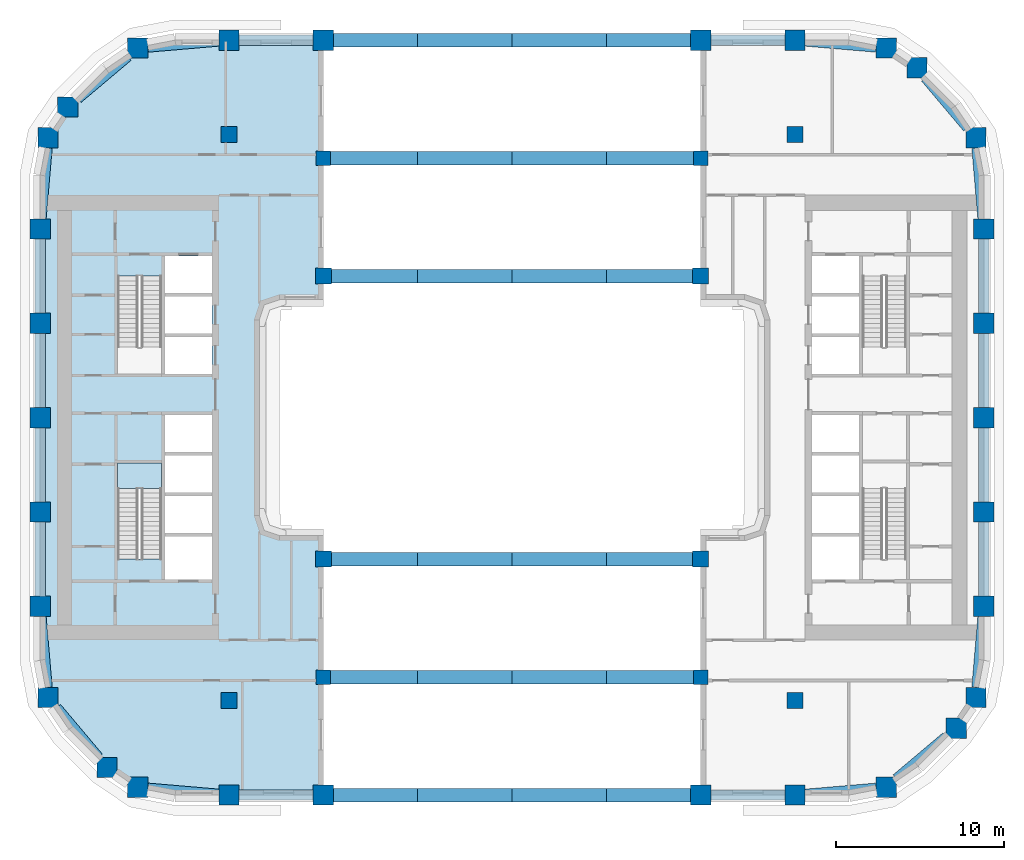
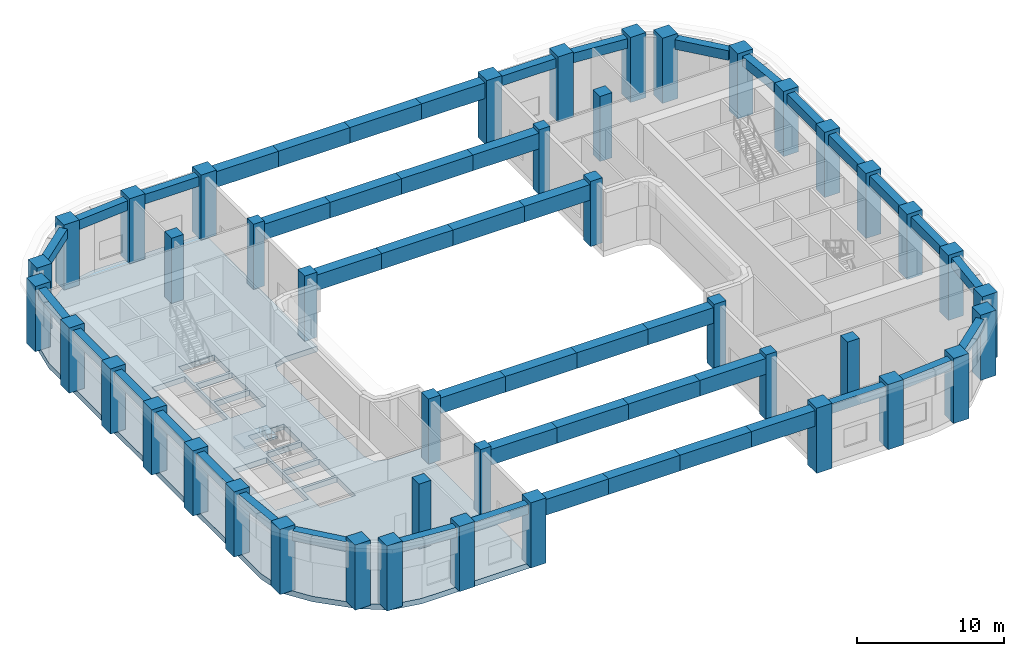
# One storey, part 1 of 14: 42 columns, 24 beams, 24 members, 2 slabs, 1 element without a shape of its own.
"""IFC4 building model written with IfcOpenShell, lengths in metres."""

from ifc_helpers import new_model, si_unit, direction, frame, origin, origin_2d, place, context, subcontext, project, spatial, polyline, rectangle, hollow_rectangle, outline, extrude, material, layer, layer_set, material_profile, profile_set, type_object, element, aggregate, save


model = new_model("IFC4")

# Units and contexts
model_context = context("Model", 3, precision=1e-05, world=origin(), true_north=direction((0.0, 1.0)))
body_context = subcontext(model_context, "Body", "Model", "MODEL_VIEW")
ifc_project = project(units=[si_unit("LENGTHUNIT", "METRE"), si_unit("AREAUNIT", "SQUARE_METRE"), si_unit("VOLUMEUNIT", "CUBIC_METRE"), si_unit("PLANEANGLEUNIT", "RADIAN"), si_unit("MASSUNIT", "GRAM", prefix="KILO")], contexts=[model_context])

# Site, building, storey
site_placement = place(None, origin())
site = spatial("IfcSite", under=ifc_project, at=site_placement, CompositionType="ELEMENT")
building_placement = place(site_placement, origin())
building = spatial("IfcBuilding", under=site, at=building_placement, Name="Kiln Ring Residences", CompositionType="ELEMENT")
storey_placement = place(building_placement, frame((0.0, 0.0, 130.699951171875)))
storey = spatial("IfcBuildingStorey", under=building, at=storey_placement, Name="L33", CompositionType="ELEMENT", Elevation=130.699951171875)

# Columns
ifc_material_1 = material(Name="Concrete C80/95", Category="concrete")
ifc_material_profile_1 = material_profile(ifc_material_1, rectangle(XDim=0.85009765625, YDim=0.85009765625, at=origin_2d()), Name="RC850x850")
ifc_profile_set_1 = profile_set([ifc_material_profile_1], Name="Concrete C80/95")
column_type_1 = type_object("IfcColumnType", Name="Corridor column RC850x850 C80/95", PredefinedType="COLUMN", material=ifc_profile_set_1)
for number, where, z_axis, x_axis, name in (
    (1, (-11.199951171875, 15.39990234375, 0.0), (0.0, 0.0, 1.0), (1.0, 0.0, 0.0), "Corridor column L33 1"),
    (2, (11.199951171875, 15.39990234375, 0.0), (0.0, 0.0, 1.0), (1.0, 0.0, 0.0), "Corridor column L33 2"),
    (3, (-11.199951171875, -15.39990234375, 0.0), (0.0, 0.0, 1.0), (1.0, 0.0, 0.0), "Corridor column L33 3"),
    (4, (11.199951171875, -15.39990234375, 0.0), (0.0, 0.0, 1.0), (1.0, 0.0, 0.0), "Corridor column L33 4"),
):
    element("IfcColumn", number, at=place(storey_placement, frame(where, z_axis=z_axis, x_axis=x_axis)), inside=storey, type_object=column_type_1, Name=name, PredefinedType="COLUMN", context=body_context, shape_type="SweptSolid", body=[
        extrude(rectangle(XDim=0.85009765625, YDim=0.85009765625, at=origin_2d()), origin(), (0.0, 0.0, 1.0), 5.400146484375),
    ])
ifc_material_2 = material(Name="Concrete C80/95", Category="concrete")
ifc_material_profile_2 = material_profile(ifc_material_2, rectangle(XDim=1.199951171875, YDim=1.199951171875, at=origin_2d()), Name="RC1200x1200")
ifc_profile_set_2 = profile_set([ifc_material_profile_2], Name="Concrete C80/95")
column_type_2 = type_object("IfcColumnType", Name="Perimeter column RC1200x1200 C80/95", PredefinedType="COLUMN", material=ifc_profile_set_2)
for number, where, z_axis, x_axis, name in (
    (5, (-22.208740234375, -21.93798828125, 0.0), (0.0, 0.0, 1.0), (1.0, 0.0, 0.0), "Perimeter column L33 1"),
    (6, (-16.800048828125, -22.39990234375, 0.0), (0.0, 0.0, 1.0), (1.0, 0.0, 0.0), "Perimeter column L33 2"),
    (7, (-11.199951171875, -22.39990234375, 0.0), (0.0, 0.0, 1.0), (1.0, 0.0, 0.0), "Perimeter column L33 3"),
    (8, (11.199951171875, -22.39990234375, 0.0), (0.0, 0.0, 1.0), (1.0, 0.0, 0.0), "Perimeter column L33 4"),
    (9, (16.800048828125, -22.39990234375, 0.0), (0.0, 0.0, 1.0), (1.0, 0.0, 0.0), "Perimeter column L33 5"),
    (10, (22.208740234375, -21.93798828125, 0.0), (0.0, 0.0, 1.0), (1.0, 0.0, 0.0), "Perimeter column L33 6"),
    (11, (26.35986328125, -18.440185546875, 0.0), (0.0, 0.0, 1.0), (1.0, 0.0, 0.0), "Perimeter column L33 7"),
    (12, (27.5380859375, -16.608642578125, 0.0), (0.0, 0.0, 1.0), (1.0, 0.0, 0.0), "Perimeter column L33 8"),
    (13, (28.0, -11.199951171875, 0.0), (0.0, 0.0, 1.0), (1.0, 0.0, 0.0), "Perimeter column L33 9"),
    (14, (28.0, -5.60009765625, 0.0), (0.0, 0.0, 1.0), (1.0, 0.0, 0.0), "Perimeter column L33 10"),
    (15, (28.0, 0.0, 0.0), (0.0, 0.0, 1.0), (1.0, 0.0, 0.0), "Perimeter column L33 11"),
    (16, (28.0, 5.60009765625, 0.0), (0.0, 0.0, 1.0), (1.0, 0.0, 0.0), "Perimeter column L33 12"),
    (17, (28.0, 11.199951171875, 0.0), (0.0, 0.0, 1.0), (1.0, 0.0, 0.0), "Perimeter column L33 13"),
    (18, (27.5380859375, 16.608642578125, 0.0), (0.0, 0.0, 1.0), (1.0, 0.0, 0.0), "Perimeter column L33 14"),
    (19, (24.040283203125, 20.759765625, 0.0), (0.0, 0.0, 1.0), (1.0, 0.0, 0.0), "Perimeter column L33 15"),
    (20, (22.208740234375, 21.93798828125, 0.0), (0.0, 0.0, 1.0), (1.0, 0.0, 0.0), "Perimeter column L33 16"),
    (21, (16.800048828125, 22.39990234375, 0.0), (0.0, 0.0, 1.0), (1.0, 0.0, 0.0), "Perimeter column L33 17"),
    (22, (11.199951171875, 22.39990234375, 0.0), (0.0, 0.0, 1.0), (1.0, 0.0, 0.0), "Perimeter column L33 18"),
    (23, (-11.199951171875, 22.39990234375, 0.0), (0.0, 0.0, 1.0), (1.0, 0.0, 0.0), "Perimeter column L33 19"),
    (24, (-16.800048828125, 22.39990234375, 0.0), (0.0, 0.0, 1.0), (1.0, 0.0, 0.0), "Perimeter column L33 20"),
    (25, (-22.208740234375, 21.93798828125, 0.0), (0.0, 0.0, 1.0), (1.0, 0.0, 0.0), "Perimeter column L33 21"),
    (26, (-26.35986328125, 18.440185546875, 0.0), (0.0, 0.0, 1.0), (1.0, 0.0, 0.0), "Perimeter column L33 22"),
    (27, (-27.5380859375, 16.608642578125, 0.0), (0.0, 0.0, 1.0), (1.0, 0.0, 0.0), "Perimeter column L33 23"),
    (28, (-28.0, 11.199951171875, 0.0), (0.0, 0.0, 1.0), (1.0, 0.0, 0.0), "Perimeter column L33 24"),
    (29, (-28.0, 5.60009765625, 0.0), (0.0, 0.0, 1.0), (1.0, 0.0, 0.0), "Perimeter column L33 25"),
    (30, (-28.0, 0.0, 0.0), (0.0, 0.0, 1.0), (1.0, 0.0, 0.0), "Perimeter column L33 26"),
    (31, (-28.0, -5.60009765625, 0.0), (0.0, 0.0, 1.0), (1.0, 0.0, 0.0), "Perimeter column L33 27"),
    (32, (-28.0, -11.199951171875, 0.0), (0.0, 0.0, 1.0), (1.0, 0.0, 0.0), "Perimeter column L33 28"),
    (33, (-27.5380859375, -16.608642578125, 0.0), (0.0, 0.0, 1.0), (1.0, 0.0, 0.0), "Perimeter column L33 29"),
    (34, (-24.040283203125, -20.759765625, 0.0), (0.0, 0.0, 1.0), (1.0, 0.0, 0.0), "Perimeter column L33 30"),
):
    element("IfcColumn", number, at=place(storey_placement, frame(where, z_axis=z_axis, x_axis=x_axis)), inside=storey, type_object=column_type_2, Name=name, PredefinedType="COLUMN", context=body_context, shape_type="SweptSolid", body=[
        extrude(rectangle(XDim=1.199951171875, YDim=1.199951171875, at=origin_2d()), origin(), (0.0, 0.0, 1.0), 5.400146484375),
    ])
ifc_material_3 = material(Name="Concrete C80/95", Category="concrete")
ifc_material_profile_3 = material_profile(ifc_material_3, rectangle(XDim=0.949951171875, YDim=0.949951171875, at=origin_2d()), Name="RC950x950")
ifc_profile_set_3 = profile_set([ifc_material_profile_3], Name="Concrete C80/95")
column_type_3 = type_object("IfcColumnType", Name="Ring column RC950x950 C80/95", PredefinedType="COLUMN", material=ifc_profile_set_3)
for number, where, z_axis, x_axis, name in (
    (35, (-16.800048828125, -16.800048828125, 0.0), (0.0, 0.0, 1.0), (1.0, 0.0, 0.0), "Ring column L33 1"),
    (36, (-16.800048828125, 16.800048828125, 0.0), (0.0, 0.0, 1.0), (1.0, 0.0, 0.0), "Ring column L33 2"),
    (37, (16.800048828125, -16.800048828125, 0.0), (0.0, 0.0, 1.0), (1.0, 0.0, 0.0), "Ring column L33 3"),
    (38, (16.800048828125, 16.800048828125, 0.0), (0.0, 0.0, 1.0), (1.0, 0.0, 0.0), "Ring column L33 4"),
    (39, (-11.199951171875, -8.39990234375, 0.0), (0.0, 0.0, 1.0), (1.0, 0.0, 0.0), "Ring column L33 5"),
    (40, (-11.199951171875, 8.39990234375, 0.0), (0.0, 0.0, 1.0), (1.0, 0.0, 0.0), "Ring column L33 6"),
    (41, (11.199951171875, -8.39990234375, 0.0), (0.0, 0.0, 1.0), (1.0, 0.0, 0.0), "Ring column L33 7"),
    (42, (11.199951171875, 8.39990234375, 0.0), (0.0, 0.0, 1.0), (1.0, 0.0, 0.0), "Ring column L33 8"),
):
    element("IfcColumn", number, at=place(storey_placement, frame(where, z_axis=z_axis, x_axis=x_axis)), inside=storey, type_object=column_type_3, Name=name, PredefinedType="COLUMN", context=body_context, shape_type="SweptSolid", body=[
        extrude(rectangle(XDim=0.949951171875, YDim=0.949951171875, at=origin_2d()), origin(), (0.0, 0.0, 1.0), 5.400146484375),
    ])

# Members
ifc_material_4 = material(Name="Steel S460", Category="steel")
ifc_material_profile_4 = material_profile(ifc_material_4, hollow_rectangle(XDim=0.800048828125, YDim=1.300048828125, WallThickness=0.070068359375, at=origin_2d()), Name="BOX1300x800x70")
ifc_profile_set_4 = profile_set([ifc_material_profile_4], Name="Steel S460")
member_type = type_object("IfcMemberType", Name="Bridge truss chord BOX1300x800x70 S460", PredefinedType="CHORD", material=ifc_profile_set_4)
member_1_placement = place(storey_placement, frame((-10.60009765625, -22.39990234375, 4.449951171875), z_axis=(1.0, 0.0, 0.0), x_axis=(0.0, 1.0, 0.0)))
element("IfcMember", 43, at=member_1_placement, inside=storey, type_object=member_type, Name="Bridge truss chord L33 1", PredefinedType="CHORD", context=body_context, shape_type="SweptSolid", body=[
    extrude(hollow_rectangle(XDim=0.800048828125, YDim=1.300048828125, WallThickness=0.070068359375, at=origin_2d()), origin(), (0.0, 0.0, 1.0), 5.0),
])
for number, where, z_axis, x_axis, name in (
    (44, (-5.60009765625, -22.39990234375, 4.449951171875), (1.0, 0.0, 0.0), (0.0, 1.0, 0.0), "Bridge truss chord L33 2"),
    (45, (0.0, -22.39990234375, 4.449951171875), (1.0, 0.0, 0.0), (0.0, 1.0, 0.0), "Bridge truss chord L33 3"),
):
    element("IfcMember", number, at=place(storey_placement, frame(where, z_axis=z_axis, x_axis=x_axis)), inside=storey, type_object=member_type, Name=name, PredefinedType="CHORD", context=body_context, shape_type="SweptSolid", body=[
        extrude(hollow_rectangle(XDim=0.800048828125, YDim=1.300048828125, WallThickness=0.070068359375, at=origin_2d()), origin(), (0.0, 0.0, 1.0), 5.60009765625),
    ])
member_2_placement = place(storey_placement, frame((5.60009765625, -22.39990234375, 4.449951171875), z_axis=(1.0, 0.0, 0.0), x_axis=(0.0, 1.0, 0.0)))
element("IfcMember", 46, at=member_2_placement, inside=storey, type_object=member_type, Name="Bridge truss chord L33 4", PredefinedType="CHORD", context=body_context, shape_type="SweptSolid", body=[
    extrude(hollow_rectangle(XDim=0.800048828125, YDim=1.300048828125, WallThickness=0.070068359375, at=origin_2d()), origin(), (0.0, 0.0, 1.0), 5.0),
])
member_3_placement = place(storey_placement, frame((-10.77490234375, -15.39990234375, 4.449951171875), z_axis=(1.0, 0.0, 0.0), x_axis=(0.0, 1.0, 0.0)))
element("IfcMember", 47, at=member_3_placement, inside=storey, type_object=member_type, Name="Bridge truss chord L33 5", PredefinedType="CHORD", context=body_context, shape_type="SweptSolid", body=[
    extrude(hollow_rectangle(XDim=0.800048828125, YDim=1.300048828125, WallThickness=0.070068359375, at=origin_2d()), origin(), (0.0, 0.0, 1.0), 5.1748046875),
])
for number, where, z_axis, x_axis, name in (
    (48, (-5.60009765625, -15.39990234375, 4.449951171875), (1.0, 0.0, 0.0), (0.0, 1.0, 0.0), "Bridge truss chord L33 6"),
    (49, (0.0, -15.39990234375, 4.449951171875), (1.0, 0.0, 0.0), (0.0, 1.0, 0.0), "Bridge truss chord L33 7"),
):
    element("IfcMember", number, at=place(storey_placement, frame(where, z_axis=z_axis, x_axis=x_axis)), inside=storey, type_object=member_type, Name=name, PredefinedType="CHORD", context=body_context, shape_type="SweptSolid", body=[
        extrude(hollow_rectangle(XDim=0.800048828125, YDim=1.300048828125, WallThickness=0.070068359375, at=origin_2d()), origin(), (0.0, 0.0, 1.0), 5.60009765625),
    ])
member_4_placement = place(storey_placement, frame((5.60009765625, -15.39990234375, 4.449951171875), z_axis=(1.0, 0.0, 0.0), x_axis=(0.0, 1.0, 0.0)))
element("IfcMember", 50, at=member_4_placement, inside=storey, type_object=member_type, Name="Bridge truss chord L33 8", PredefinedType="CHORD", context=body_context, shape_type="SweptSolid", body=[
    extrude(hollow_rectangle(XDim=0.800048828125, YDim=1.300048828125, WallThickness=0.070068359375, at=origin_2d()), origin(), (0.0, 0.0, 1.0), 5.1748046875),
])
member_5_placement = place(storey_placement, frame((-10.72509765625, -8.39990234375, 4.449951171875), z_axis=(1.0, 0.0, 0.0), x_axis=(0.0, 1.0, 0.0)))
element("IfcMember", 51, at=member_5_placement, inside=storey, type_object=member_type, Name="Bridge truss chord L33 9", PredefinedType="CHORD", context=body_context, shape_type="SweptSolid", body=[
    extrude(hollow_rectangle(XDim=0.800048828125, YDim=1.300048828125, WallThickness=0.070068359375, at=origin_2d()), origin(), (0.0, 0.0, 1.0), 5.125),
])
for number, where, z_axis, x_axis, name in (
    (52, (-5.60009765625, -8.39990234375, 4.449951171875), (1.0, 0.0, 0.0), (0.0, 1.0, 0.0), "Bridge truss chord L33 10"),
    (53, (0.0, -8.39990234375, 4.449951171875), (1.0, 0.0, 0.0), (0.0, 1.0, 0.0), "Bridge truss chord L33 11"),
):
    element("IfcMember", number, at=place(storey_placement, frame(where, z_axis=z_axis, x_axis=x_axis)), inside=storey, type_object=member_type, Name=name, PredefinedType="CHORD", context=body_context, shape_type="SweptSolid", body=[
        extrude(hollow_rectangle(XDim=0.800048828125, YDim=1.300048828125, WallThickness=0.070068359375, at=origin_2d()), origin(), (0.0, 0.0, 1.0), 5.60009765625),
    ])
member_6_placement = place(storey_placement, frame((5.60009765625, -8.39990234375, 4.449951171875), z_axis=(1.0, 0.0, 0.0), x_axis=(0.0, 1.0, 0.0)))
element("IfcMember", 54, at=member_6_placement, inside=storey, type_object=member_type, Name="Bridge truss chord L33 12", PredefinedType="CHORD", context=body_context, shape_type="SweptSolid", body=[
    extrude(hollow_rectangle(XDim=0.800048828125, YDim=1.300048828125, WallThickness=0.070068359375, at=origin_2d()), origin(), (0.0, 0.0, 1.0), 5.125),
])
member_7_placement = place(storey_placement, frame((-10.60009765625, 22.39990234375, 4.449951171875), z_axis=(1.0, 0.0, 0.0), x_axis=(0.0, 1.0, 0.0)))
element("IfcMember", 55, at=member_7_placement, inside=storey, type_object=member_type, Name="Bridge truss chord L33 13", PredefinedType="CHORD", context=body_context, shape_type="SweptSolid", body=[
    extrude(hollow_rectangle(XDim=0.800048828125, YDim=1.300048828125, WallThickness=0.070068359375, at=origin_2d()), origin(), (0.0, 0.0, 1.0), 5.0),
])
for number, where, z_axis, x_axis, name in (
    (56, (-5.60009765625, 22.39990234375, 4.449951171875), (1.0, 0.0, 0.0), (0.0, 1.0, 0.0), "Bridge truss chord L33 14"),
    (57, (0.0, 22.39990234375, 4.449951171875), (1.0, 0.0, 0.0), (0.0, 1.0, 0.0), "Bridge truss chord L33 15"),
):
    element("IfcMember", number, at=place(storey_placement, frame(where, z_axis=z_axis, x_axis=x_axis)), inside=storey, type_object=member_type, Name=name, PredefinedType="CHORD", context=body_context, shape_type="SweptSolid", body=[
        extrude(hollow_rectangle(XDim=0.800048828125, YDim=1.300048828125, WallThickness=0.070068359375, at=origin_2d()), origin(), (0.0, 0.0, 1.0), 5.60009765625),
    ])
member_8_placement = place(storey_placement, frame((5.60009765625, 22.39990234375, 4.449951171875), z_axis=(1.0, 0.0, 0.0), x_axis=(0.0, 1.0, 0.0)))
element("IfcMember", 58, at=member_8_placement, inside=storey, type_object=member_type, Name="Bridge truss chord L33 16", PredefinedType="CHORD", context=body_context, shape_type="SweptSolid", body=[
    extrude(hollow_rectangle(XDim=0.800048828125, YDim=1.300048828125, WallThickness=0.070068359375, at=origin_2d()), origin(), (0.0, 0.0, 1.0), 5.0),
])
member_9_placement = place(storey_placement, frame((-10.77490234375, 15.39990234375, 4.449951171875), z_axis=(1.0, 0.0, 0.0), x_axis=(0.0, 1.0, 0.0)))
element("IfcMember", 59, at=member_9_placement, inside=storey, type_object=member_type, Name="Bridge truss chord L33 17", PredefinedType="CHORD", context=body_context, shape_type="SweptSolid", body=[
    extrude(hollow_rectangle(XDim=0.800048828125, YDim=1.300048828125, WallThickness=0.070068359375, at=origin_2d()), origin(), (0.0, 0.0, 1.0), 5.1748046875),
])
for number, where, z_axis, x_axis, name in (
    (60, (-5.60009765625, 15.39990234375, 4.449951171875), (1.0, 0.0, 0.0), (0.0, 1.0, 0.0), "Bridge truss chord L33 18"),
    (61, (0.0, 15.39990234375, 4.449951171875), (1.0, 0.0, 0.0), (0.0, 1.0, 0.0), "Bridge truss chord L33 19"),
):
    element("IfcMember", number, at=place(storey_placement, frame(where, z_axis=z_axis, x_axis=x_axis)), inside=storey, type_object=member_type, Name=name, PredefinedType="CHORD", context=body_context, shape_type="SweptSolid", body=[
        extrude(hollow_rectangle(XDim=0.800048828125, YDim=1.300048828125, WallThickness=0.070068359375, at=origin_2d()), origin(), (0.0, 0.0, 1.0), 5.60009765625),
    ])
member_10_placement = place(storey_placement, frame((5.60009765625, 15.39990234375, 4.449951171875), z_axis=(1.0, 0.0, 0.0), x_axis=(0.0, 1.0, 0.0)))
element("IfcMember", 62, at=member_10_placement, inside=storey, type_object=member_type, Name="Bridge truss chord L33 20", PredefinedType="CHORD", context=body_context, shape_type="SweptSolid", body=[
    extrude(hollow_rectangle(XDim=0.800048828125, YDim=1.300048828125, WallThickness=0.070068359375, at=origin_2d()), origin(), (0.0, 0.0, 1.0), 5.1748046875),
])
member_11_placement = place(storey_placement, frame((-10.72509765625, 8.39990234375, 4.449951171875), z_axis=(1.0, 0.0, 0.0), x_axis=(0.0, 1.0, 0.0)))
element("IfcMember", 63, at=member_11_placement, inside=storey, type_object=member_type, Name="Bridge truss chord L33 21", PredefinedType="CHORD", context=body_context, shape_type="SweptSolid", body=[
    extrude(hollow_rectangle(XDim=0.800048828125, YDim=1.300048828125, WallThickness=0.070068359375, at=origin_2d()), origin(), (0.0, 0.0, 1.0), 5.125),
])
for number, where, z_axis, x_axis, name in (
    (64, (-5.60009765625, 8.39990234375, 4.449951171875), (1.0, 0.0, 0.0), (0.0, 1.0, 0.0), "Bridge truss chord L33 22"),
    (65, (0.0, 8.39990234375, 4.449951171875), (1.0, 0.0, 0.0), (0.0, 1.0, 0.0), "Bridge truss chord L33 23"),
):
    element("IfcMember", number, at=place(storey_placement, frame(where, z_axis=z_axis, x_axis=x_axis)), inside=storey, type_object=member_type, Name=name, PredefinedType="CHORD", context=body_context, shape_type="SweptSolid", body=[
        extrude(hollow_rectangle(XDim=0.800048828125, YDim=1.300048828125, WallThickness=0.070068359375, at=origin_2d()), origin(), (0.0, 0.0, 1.0), 5.60009765625),
    ])
member_12_placement = place(storey_placement, frame((5.60009765625, 8.39990234375, 4.449951171875), z_axis=(1.0, 0.0, 0.0), x_axis=(0.0, 1.0, 0.0)))
element("IfcMember", 66, at=member_12_placement, inside=storey, type_object=member_type, Name="Bridge truss chord L33 24", PredefinedType="CHORD", context=body_context, shape_type="SweptSolid", body=[
    extrude(hollow_rectangle(XDim=0.800048828125, YDim=1.300048828125, WallThickness=0.070068359375, at=origin_2d()), origin(), (0.0, 0.0, 1.0), 5.125),
])

# Beams
ifc_material_5 = material(Name="Concrete C50/60", Category="concrete")
ifc_material_profile_5 = material_profile(ifc_material_5, rectangle(XDim=0.60009765625, YDim=0.800048828125, at=origin_2d()), Name="RC600x800")
ifc_profile_set_5 = profile_set([ifc_material_profile_5], Name="Concrete C50/60")
beam_type = type_object("IfcBeamType", Name="Spandrel beam RC600x800 C50/60", PredefinedType="SPANDREL", material=ifc_profile_set_5)
beam_1_placement = place(storey_placement, frame((-21.608642578125, -21.9892578125, 4.699951171875), z_axis=(0.996369376645, -0.085135570033, 0.0), x_axis=(0.085135570033, 0.996369376645, 0.0)))
element("IfcBeam", 67, at=beam_1_placement, inside=storey, type_object=beam_type, Name="Spandrel beam L33 1", PredefinedType="SPANDREL", context=body_context, shape_type="SweptSolid", body=[
    extrude(rectangle(XDim=0.60009765625, YDim=0.800048828125, at=origin_2d()), origin(), (0.0, 0.0, 1.0), 4.22412109375),
])
for number, where, z_axis, x_axis, name in (
    (68, (-16.199951171875, -22.39990234375, 4.699951171875), (1.0, 0.0, 0.0), (0.0, 1.0, 0.0), "Spandrel beam L33 2"),
    (69, (11.800048828125, -22.39990234375, 4.699951171875), (1.0, 0.0, 0.0), (0.0, 1.0, 0.0), "Spandrel beam L33 3"),
):
    element("IfcBeam", number, at=place(storey_placement, frame(where, z_axis=z_axis, x_axis=x_axis)), inside=storey, type_object=beam_type, Name=name, PredefinedType="SPANDREL", context=body_context, shape_type="SweptSolid", body=[
        extrude(rectangle(XDim=0.60009765625, YDim=0.800048828125, at=origin_2d()), origin(), (0.0, 0.0, 1.0), 4.39990234375),
    ])
beam_2_placement = place(storey_placement, frame((17.39990234375, -22.348876953125, 4.699951171875), z_axis=(0.996369376645, 0.085135570033, 0.0), x_axis=(-0.085135570033, 0.996369376645, 0.0)))
element("IfcBeam", 70, at=beam_2_placement, inside=storey, type_object=beam_type, Name="Spandrel beam L33 4", PredefinedType="SPANDREL", context=body_context, shape_type="SweptSolid", body=[
    extrude(rectangle(XDim=0.60009765625, YDim=0.800048828125, at=origin_2d()), origin(), (0.0, 0.0, 1.0), 4.22412109375),
])
beam_3_placement = place(storey_placement, frame((22.80859375, -21.4326171875, 4.699951171875), z_axis=(0.764704456802, 0.644381171161, 0.0), x_axis=(-0.644381171161, 0.764704456802, 0.0)))
element("IfcBeam", 71, at=beam_3_placement, inside=storey, type_object=beam_type, Name="Spandrel beam L33 5", PredefinedType="SPANDREL", context=body_context, shape_type="SweptSolid", body=[
    extrude(rectangle(XDim=0.60009765625, YDim=0.800048828125, at=origin_2d()), origin(), (0.0, 0.0, 1.0), 3.859130859375),
])
beam_4_placement = place(storey_placement, frame((27.58935546875, -16.0087890625, 4.699951171875), z_axis=(0.085078191129, 0.996374277766, 0.0), x_axis=(-0.996374277766, 0.085078191129, 0.0)))
element("IfcBeam", 72, at=beam_4_placement, inside=storey, type_object=beam_type, Name="Spandrel beam L33 6", PredefinedType="SPANDREL", context=body_context, shape_type="SweptSolid", body=[
    extrude(rectangle(XDim=0.60009765625, YDim=0.800048828125, at=origin_2d()), origin(), (0.0, 0.0, 1.0), 4.22412109375),
])
beam_5_placement = place(storey_placement, frame((28.0, -10.60009765625, 4.699951171875), z_axis=(0.0, 1.0, 0.0), x_axis=(-1.0, 0.0, 0.0)))
element("IfcBeam", 73, at=beam_5_placement, inside=storey, type_object=beam_type, Name="Spandrel beam L33 7", PredefinedType="SPANDREL", context=body_context, shape_type="SweptSolid", body=[
    extrude(rectangle(XDim=0.60009765625, YDim=0.800048828125, at=origin_2d()), origin(), (0.0, 0.0, 1.0), 4.400146484375),
])
for number, where, z_axis, x_axis, name in (
    (74, (28.0, -5.0, 4.699951171875), (0.0, 1.0, 0.0), (-1.0, 0.0, 0.0), "Spandrel beam L33 8"),
    (75, (28.0, 0.60009765625, 4.699951171875), (0.0, 1.0, 0.0), (-1.0, 0.0, 0.0), "Spandrel beam L33 9"),
):
    element("IfcBeam", number, at=place(storey_placement, frame(where, z_axis=z_axis, x_axis=x_axis)), inside=storey, type_object=beam_type, Name=name, PredefinedType="SPANDREL", context=body_context, shape_type="SweptSolid", body=[
        extrude(rectangle(XDim=0.60009765625, YDim=0.800048828125, at=origin_2d()), origin(), (0.0, 0.0, 1.0), 4.39990234375),
    ])
beam_6_placement = place(storey_placement, frame((28.0, 6.199951171875, 4.699951171875), z_axis=(0.0, 1.0, 0.0), x_axis=(-1.0, 0.0, 0.0)))
element("IfcBeam", 76, at=beam_6_placement, inside=storey, type_object=beam_type, Name="Spandrel beam L33 10", PredefinedType="SPANDREL", context=body_context, shape_type="SweptSolid", body=[
    extrude(rectangle(XDim=0.60009765625, YDim=0.800048828125, at=origin_2d()), origin(), (0.0, 0.0, 1.0), 4.400146484375),
])
beam_7_placement = place(storey_placement, frame((27.94873046875, 11.800048828125, 4.699951171875), z_axis=(-0.085078191129, 0.996374277766, 0.0), x_axis=(-0.996374277766, -0.085078191129, 0.0)))
element("IfcBeam", 77, at=beam_7_placement, inside=storey, type_object=beam_type, Name="Spandrel beam L33 11", PredefinedType="SPANDREL", context=body_context, shape_type="SweptSolid", body=[
    extrude(rectangle(XDim=0.60009765625, YDim=0.800048828125, at=origin_2d()), origin(), (0.0, 0.0, 1.0), 4.22412109375),
])
beam_8_placement = place(storey_placement, frame((27.032470703125, 17.208740234375, 4.699951171875), z_axis=(-0.644344175314, 0.764735629965, 0.0), x_axis=(-0.764735629965, -0.644344175314, 0.0)))
element("IfcBeam", 78, at=beam_8_placement, inside=storey, type_object=beam_type, Name="Spandrel beam L33 12", PredefinedType="SPANDREL", context=body_context, shape_type="SweptSolid", body=[
    extrude(rectangle(XDim=0.60009765625, YDim=0.800048828125, at=origin_2d()), origin(), (0.0, 0.0, 1.0), 3.859130859375),
])
beam_9_placement = place(storey_placement, frame((21.608642578125, 21.9892578125, 4.699951171875), z_axis=(-0.996369376645, 0.085135570033, 0.0), x_axis=(-0.085135570033, -0.996369376645, 0.0)))
element("IfcBeam", 79, at=beam_9_placement, inside=storey, type_object=beam_type, Name="Spandrel beam L33 13", PredefinedType="SPANDREL", context=body_context, shape_type="SweptSolid", body=[
    extrude(rectangle(XDim=0.60009765625, YDim=0.800048828125, at=origin_2d()), origin(), (0.0, 0.0, 1.0), 4.22412109375),
])
for number, where, z_axis, x_axis, name in (
    (80, (16.199951171875, 22.39990234375, 4.699951171875), (-1.0, 0.0, 0.0), (0.0, -1.0, 0.0), "Spandrel beam L33 14"),
    (81, (-11.800048828125, 22.39990234375, 4.699951171875), (-1.0, 0.0, 0.0), (0.0, -1.0, 0.0), "Spandrel beam L33 15"),
):
    element("IfcBeam", number, at=place(storey_placement, frame(where, z_axis=z_axis, x_axis=x_axis)), inside=storey, type_object=beam_type, Name=name, PredefinedType="SPANDREL", context=body_context, shape_type="SweptSolid", body=[
        extrude(rectangle(XDim=0.60009765625, YDim=0.800048828125, at=origin_2d()), origin(), (0.0, 0.0, 1.0), 4.39990234375),
    ])
beam_10_placement = place(storey_placement, frame((-17.39990234375, 22.348876953125, 4.699951171875), z_axis=(-0.996369376645, -0.085135570033, 0.0), x_axis=(0.085135570033, -0.996369376645, 0.0)))
element("IfcBeam", 82, at=beam_10_placement, inside=storey, type_object=beam_type, Name="Spandrel beam L33 16", PredefinedType="SPANDREL", context=body_context, shape_type="SweptSolid", body=[
    extrude(rectangle(XDim=0.60009765625, YDim=0.800048828125, at=origin_2d()), origin(), (0.0, 0.0, 1.0), 4.22412109375),
])
beam_11_placement = place(storey_placement, frame((-22.80859375, 21.4326171875, 4.699951171875), z_axis=(-0.764704456802, -0.644381171161, 0.0), x_axis=(0.644381171161, -0.764704456802, 0.0)))
element("IfcBeam", 83, at=beam_11_placement, inside=storey, type_object=beam_type, Name="Spandrel beam L33 17", PredefinedType="SPANDREL", context=body_context, shape_type="SweptSolid", body=[
    extrude(rectangle(XDim=0.60009765625, YDim=0.800048828125, at=origin_2d()), origin(), (0.0, 0.0, 1.0), 3.859130859375),
])
beam_12_placement = place(storey_placement, frame((-27.58935546875, 16.0087890625, 4.699951171875), z_axis=(-0.085078191129, -0.996374277766, 0.0), x_axis=(0.996374277766, -0.085078191129, 0.0)))
element("IfcBeam", 84, at=beam_12_placement, inside=storey, type_object=beam_type, Name="Spandrel beam L33 18", PredefinedType="SPANDREL", context=body_context, shape_type="SweptSolid", body=[
    extrude(rectangle(XDim=0.60009765625, YDim=0.800048828125, at=origin_2d()), origin(), (0.0, 0.0, 1.0), 4.22412109375),
])
beam_13_placement = place(storey_placement, frame((-28.0, 10.60009765625, 4.699951171875), z_axis=(0.0, -1.0, 0.0), x_axis=(1.0, 0.0, 0.0)))
element("IfcBeam", 85, at=beam_13_placement, inside=storey, type_object=beam_type, Name="Spandrel beam L33 19", PredefinedType="SPANDREL", context=body_context, shape_type="SweptSolid", body=[
    extrude(rectangle(XDim=0.60009765625, YDim=0.800048828125, at=origin_2d()), origin(), (0.0, 0.0, 1.0), 4.400146484375),
])
for number, where, z_axis, x_axis, name in (
    (86, (-28.0, 5.0, 4.699951171875), (0.0, -1.0, 0.0), (1.0, 0.0, 0.0), "Spandrel beam L33 20"),
    (87, (-28.0, -0.60009765625, 4.699951171875), (0.0, -1.0, 0.0), (1.0, 0.0, 0.0), "Spandrel beam L33 21"),
):
    element("IfcBeam", number, at=place(storey_placement, frame(where, z_axis=z_axis, x_axis=x_axis)), inside=storey, type_object=beam_type, Name=name, PredefinedType="SPANDREL", context=body_context, shape_type="SweptSolid", body=[
        extrude(rectangle(XDim=0.60009765625, YDim=0.800048828125, at=origin_2d()), origin(), (0.0, 0.0, 1.0), 4.39990234375),
    ])
beam_14_placement = place(storey_placement, frame((-28.0, -6.199951171875, 4.699951171875), z_axis=(0.0, -1.0, 0.0), x_axis=(1.0, 0.0, 0.0)))
element("IfcBeam", 88, at=beam_14_placement, inside=storey, type_object=beam_type, Name="Spandrel beam L33 22", PredefinedType="SPANDREL", context=body_context, shape_type="SweptSolid", body=[
    extrude(rectangle(XDim=0.60009765625, YDim=0.800048828125, at=origin_2d()), origin(), (0.0, 0.0, 1.0), 4.400146484375),
])
beam_15_placement = place(storey_placement, frame((-27.94873046875, -11.800048828125, 4.699951171875), z_axis=(0.085078191129, -0.996374277766, 0.0), x_axis=(0.996374277766, 0.085078191129, 0.0)))
element("IfcBeam", 89, at=beam_15_placement, inside=storey, type_object=beam_type, Name="Spandrel beam L33 23", PredefinedType="SPANDREL", context=body_context, shape_type="SweptSolid", body=[
    extrude(rectangle(XDim=0.60009765625, YDim=0.800048828125, at=origin_2d()), origin(), (0.0, 0.0, 1.0), 4.22412109375),
])
beam_16_placement = place(storey_placement, frame((-27.032470703125, -17.208740234375, 4.699951171875), z_axis=(0.644344175314, -0.764735629965, 0.0), x_axis=(0.764735629965, 0.644344175314, 0.0)))
element("IfcBeam", 90, at=beam_16_placement, inside=storey, type_object=beam_type, Name="Spandrel beam L33 24", PredefinedType="SPANDREL", context=body_context, shape_type="SweptSolid", body=[
    extrude(rectangle(XDim=0.60009765625, YDim=0.800048828125, at=origin_2d()), origin(), (0.0, 0.0, 1.0), 3.859130859375),
])

# Stair, slab
ifc_material_6 = material(Name="Concrete C40/50", Category="concrete")
stair_type = type_object("IfcStairType", Name="CORE-STAIR", PredefinedType="HALF_TURN_STAIR", material=ifc_material_6)
stair_placement = place(storey_placement, origin())
stair = element("IfcStair", 91, at=stair_placement, inside=storey, type_object=stair_type, Name="L33 stair W-STS", PredefinedType="HALF_TURN_STAIR")
ifc_material_7 = material(Name="Concrete C40/50", Category="concrete")
ifc_layer_1 = layer(ifc_material_7, 0.199951171875)
ifc_layer_set_1 = layer_set([ifc_layer_1], Name="CORE-STAIR-LANDING")
slab_type_1 = type_object("IfcSlabType", Name="CORE-STAIR-LANDING", PredefinedType="LANDING", material=ifc_layer_set_1)
slab_1_placement = place(storey_placement, frame((0.0, 0.0, 2.5)))
slab_1 = element("IfcSlab", 92, at=slab_1_placement, type_object=slab_type_1, Name="W-STS landing 1", PredefinedType="LANDING", context=body_context, shape_type="SweptSolid", body=[
    extrude(outline(polyline([(-20.800048828125, -4.199951171875), (-20.800048828125, -2.699951171875), (-23.39990234375, -2.699951171875), (-23.39990234375, -4.199951171875), (-20.800048828125, -4.199951171875)])), origin(), (0.0, 0.0, 1.0), 0.199951171875),
])
aggregate(stair, [slab_1])

# Slab
ifc_material_8 = material(Name="Concrete C40/50", Category="concrete")
ifc_layer_2 = layer(ifc_material_8, 0.449951171875)
ifc_layer_set_2 = layer_set([ifc_layer_2], Name="Floor slab 450")
slab_type_2 = type_object("IfcSlabType", Name="Floor slab 450", PredefinedType="FLOOR", material=ifc_layer_set_2)
slab_2_placement = place(storey_placement, frame((0.0, 0.0, -0.449951171875)))
element("IfcSlab", 93, at=slab_2_placement, inside=storey, type_object=slab_type_2, Name="Floor slab L33 1", PredefinedType="FLOOR", context=body_context, shape_type="SweptSolid", body=[
    extrude(outline(polyline([(-28.0, -14.39990234375), (-27.57568359375, -16.624267578125), (-26.302978515625, -18.4970703125), (-24.09716796875, -20.702880859375), (-22.224365234375, -21.975830078125), (-20.0, -22.39990234375), (-11.199951171875, -22.39990234375), (-11.199951171875, -7.0), (-13.800048828125, -7.0), (-14.699951171875, -6.699951171875), (-15.0, -5.800048828125), (-15.0, 5.800048828125), (-14.699951171875, 6.699951171875), (-13.800048828125, 7.0), (-11.199951171875, 7.0), (-11.199951171875, 22.39990234375), (-20.0, 22.39990234375), (-22.224365234375, 21.975830078125), (-24.09716796875, 20.702880859375), (-26.302978515625, 18.4970703125), (-27.57568359375, 16.624267578125), (-28.0, 14.39990234375), (-28.0, -14.39990234375)]), holes=[polyline([(-17.800048828125, 2.60009765625), (-20.60009765625, 2.60009765625), (-20.60009765625, 4.800048828125), (-17.800048828125, 4.800048828125), (-17.800048828125, 2.60009765625)]), polyline([(-17.800048828125, -2.050048828125), (-20.60009765625, -2.050048828125), (-20.60009765625, 0.14990234375), (-17.800048828125, 0.14990234375), (-17.800048828125, -2.050048828125)]), polyline([(-17.800048828125, -4.449951171875), (-20.60009765625, -4.449951171875), (-20.60009765625, -2.25), (-17.800048828125, -2.25), (-17.800048828125, -4.449951171875)]), polyline([(-17.800048828125, -6.85009765625), (-20.60009765625, -6.85009765625), (-20.60009765625, -4.64990234375), (-17.800048828125, -4.64990234375), (-17.800048828125, -6.85009765625)]), polyline([(-17.800048828125, -9.60009765625), (-20.60009765625, -9.60009765625), (-20.60009765625, -7.050048828125), (-17.800048828125, -7.050048828125), (-17.800048828125, -9.60009765625)]), polyline([(-20.60009765625, 7.39990234375), (-20.60009765625, 9.60009765625), (-17.800048828125, 9.60009765625), (-17.800048828125, 7.39990234375), (-20.60009765625, 7.39990234375)]), polyline([(-20.60009765625, 5.0), (-20.60009765625, 7.199951171875), (-17.800048828125, 7.199951171875), (-17.800048828125, 5.0), (-20.60009765625, 5.0)]), polyline([(-20.800048828125, -8.39794921875), (-23.39990234375, -8.39794921875), (-23.39990234375, -2.699951171875), (-20.800048828125, -2.699951171875), (-20.800048828125, -8.39794921875)]), polyline([(-20.800048828125, 2.60009765625), (-23.39990234375, 2.60009765625), (-23.39990234375, 8.39794921875), (-20.800048828125, 8.39794921875), (-20.800048828125, 2.60009765625)])]), origin(), (0.0, 0.0, 1.0), 0.449951171875),
])

save(model, "model.ifc")
